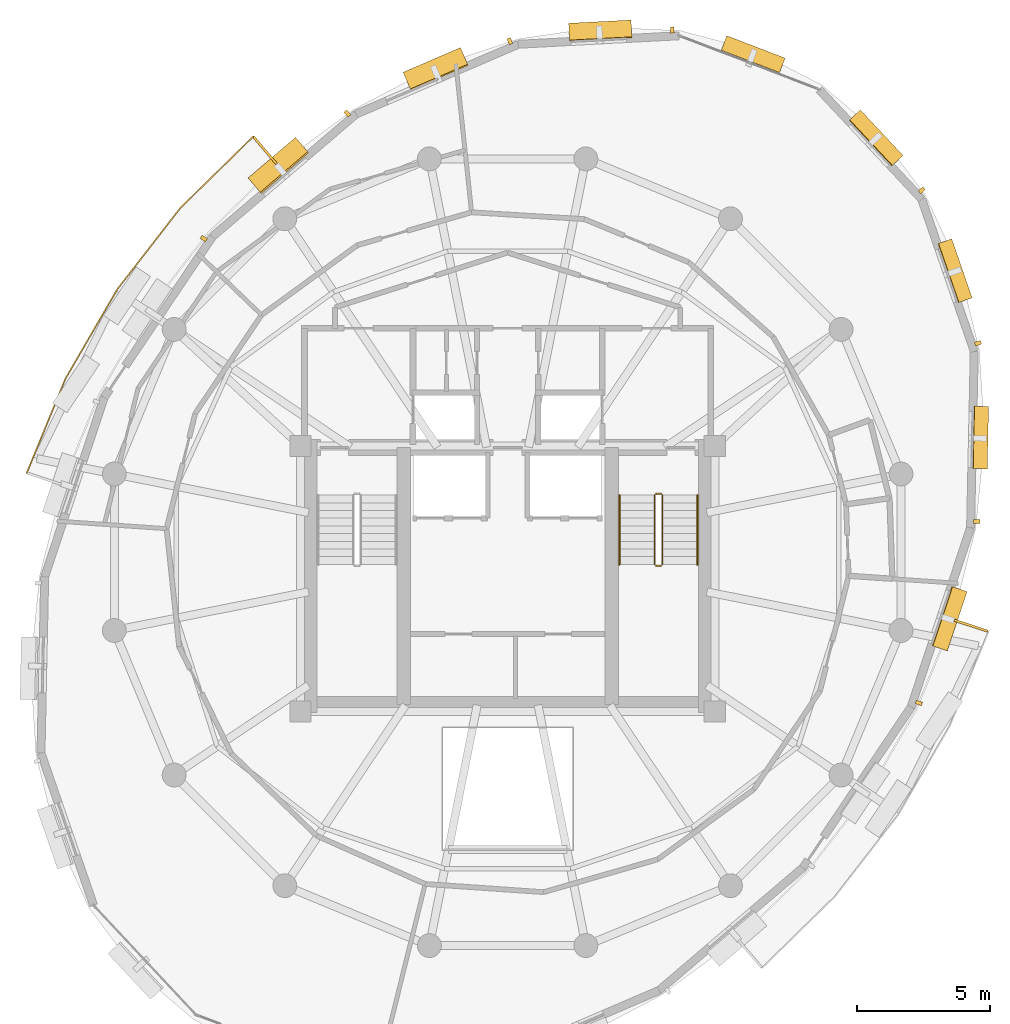
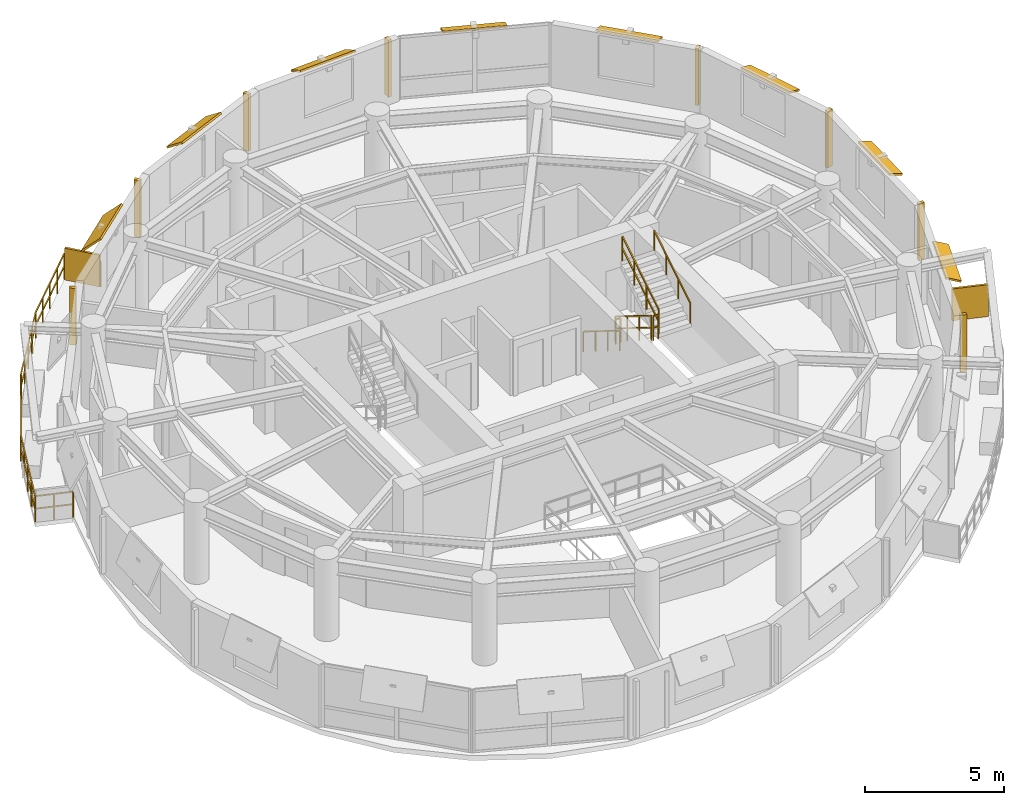
# One storey, part 11 of 11: 18 shading devices, 7 railings.
"""IFC4 building model written with IfcOpenShell, lengths in metres."""

from ifc_helpers import new_model, si_unit, direction, frame, origin, origin_2d, place, context, subcontext, project, spatial, rectangle, extrude, material, layer, layer_set, type_object, element, save


model = new_model("IFC4")

# Units and contexts
model_context = context("Model", 3, precision=1e-05, world=origin(), true_north=direction((0.0, 1.0)))
body_context = subcontext(model_context, "Body", "Model", "MODEL_VIEW")
ifc_project = project(units=[si_unit("LENGTHUNIT", "METRE"), si_unit("AREAUNIT", "SQUARE_METRE"), si_unit("VOLUMEUNIT", "CUBIC_METRE"), si_unit("PLANEANGLEUNIT", "RADIAN"), si_unit("MASSUNIT", "GRAM", prefix="KILO"), si_unit("THERMODYNAMICTEMPERATUREUNIT", "KELVIN"), si_unit("POWERUNIT", "WATT")], contexts=[model_context])

# Site, building, storey
site_placement = place(None, origin())
site = spatial("IfcSite", under=ifc_project, at=site_placement, CompositionType="ELEMENT")
building_placement = place(site_placement, origin())
building = spatial("IfcBuilding", under=site, at=building_placement, Name="Ocrelia Relay Tower", CompositionType="ELEMENT")
storey_placement = place(building_placement, frame((0.0, 0.0, 262.800048828125)))
storey = spatial("IfcBuildingStorey", under=building, at=storey_placement, Name="L65", CompositionType="ELEMENT", Elevation=262.800048828125)

# Railings
ifc_material_1 = material(Name="Steel S355 balustrade", Category="steel")
railing_type_1 = type_object("IfcRailingType", Name="RL-EXT-GUARD-1150", PredefinedType="GUARDRAIL", material=ifc_material_1)
railing_1_placement = place(storey_placement, frame((17.21630859375, 28.548583984375, 0.0)))
element("IfcRailing", 1, at=railing_1_placement, inside=storey, type_object=railing_type_1, Name="L65 Loggia Balcony Guard Rail B1", PredefinedType="GUARDRAIL", context=body_context, shape_type="SweptSolid", body=[
    extrude(rectangle(XDim=0.048095703125, YDim=0.048095703125, at=origin_2d()), frame((0.0, 0.0, 1.1259765625), z_axis=(-0.949555632107, 0.313598631268, 0.0), x_axis=(-0.313598631268, -0.949555632107, 0.0)), (0.0, 0.0, 1.0), 1.3935546875),
    extrude(rectangle(XDim=0.048095703125, YDim=0.048095703125, at=origin_2d()), frame((0.0, 0.0, 0.574951171875), z_axis=(-0.949555632107, 0.313598631268, 0.0), x_axis=(-0.313598631268, -0.949555632107, 0.0)), (0.0, 0.0, 1.0), 1.3935546875),
    extrude(rectangle(XDim=0.048095703125, YDim=0.048095703125, at=origin_2d()), frame((-1.3232421875, 0.43701171875, 1.1259765625), z_axis=(0.379573095369, 0.925161750869, 0.0), x_axis=(-0.925161750869, 0.379573095369, 0.0)), (0.0, 0.0, 1.0), 1.920654296875),
    extrude(rectangle(XDim=0.048095703125, YDim=0.048095703125, at=origin_2d()), frame((-1.3232421875, 0.43701171875, 0.574951171875), z_axis=(0.379573095369, 0.925161750869, 0.0), x_axis=(-0.925161750869, 0.379573095369, 0.0)), (0.0, 0.0, 1.0), 1.920654296875),
    extrude(rectangle(XDim=0.048095703125, YDim=0.048095703125, at=origin_2d()), frame((-0.59423828125, 2.2138671875, 1.1259765625), z_axis=(0.379637247401, 0.925135428132, 0.0), x_axis=(-0.925135428132, 0.379637247401, 0.0)), (0.0, 0.0, 1.0), 1.9208984375),
    extrude(rectangle(XDim=0.048095703125, YDim=0.048095703125, at=origin_2d()), frame((-0.59423828125, 2.2138671875, 0.574951171875), z_axis=(0.379637247401, 0.925135428132, 0.0), x_axis=(-0.925135428132, 0.379637247401, 0.0)), (0.0, 0.0, 1.0), 1.9208984375),
    extrude(rectangle(XDim=0.048095703125, YDim=0.048095703125, at=origin_2d()), frame((0.135009765625, 3.990966796875, 1.1259765625), z_axis=(0.501534529171, 0.865137628386, 0.0), x_axis=(-0.865137628386, 0.501534529171, 0.0)), (0.0, 0.0, 1.0), 3.881591796875),
    extrude(rectangle(XDim=0.048095703125, YDim=0.048095703125, at=origin_2d()), frame((0.135009765625, 3.990966796875, 0.574951171875), z_axis=(0.501534529171, 0.865137628386, 0.0), x_axis=(-0.865137628386, 0.501534529171, 0.0)), (0.0, 0.0, 1.0), 3.881591796875),
    extrude(rectangle(XDim=0.048095703125, YDim=0.048095703125, at=origin_2d()), frame((2.081787109375, 7.34912109375, 1.1259765625), z_axis=(0.612882025935, 0.790174425229, 0.0), x_axis=(-0.790174425229, 0.612882025935, 0.0)), (0.0, 0.0, 1.0), 3.8818359375),
    extrude(rectangle(XDim=0.048095703125, YDim=0.048095703125, at=origin_2d()), frame((2.081787109375, 7.34912109375, 0.574951171875), z_axis=(0.612882025935, 0.790174425229, 0.0), x_axis=(-0.790174425229, 0.612882025935, 0.0)), (0.0, 0.0, 1.0), 3.8818359375),
    extrude(rectangle(XDim=0.048095703125, YDim=0.048095703125, at=origin_2d()), frame((4.4609375, 10.41650390625, 1.1259765625), z_axis=(0.71431449264, 0.699824839231, 0.0), x_axis=(-0.699824839231, 0.71431449264, 0.0)), (0.0, 0.0, 1.0), 1.9208984375),
    extrude(rectangle(XDim=0.048095703125, YDim=0.048095703125, at=origin_2d()), frame((4.4609375, 10.41650390625, 0.574951171875), z_axis=(0.71431449264, 0.699824839231, 0.0), x_axis=(-0.699824839231, 0.71431449264, 0.0)), (0.0, 0.0, 1.0), 1.9208984375),
    extrude(rectangle(XDim=0.048095703125, YDim=0.048095703125, at=origin_2d()), frame((5.8330078125, 11.7607421875, 1.1259765625), z_axis=(0.714378033116, 0.699759977279, 0.0), x_axis=(-0.699759977279, 0.714378033116, 0.0)), (0.0, 0.0, 1.0), 1.920654296875),
    extrude(rectangle(XDim=0.048095703125, YDim=0.048095703125, at=origin_2d()), frame((5.8330078125, 11.7607421875, 0.574951171875), z_axis=(0.714378033116, 0.699759977279, 0.0), x_axis=(-0.699759977279, 0.714378033116, 0.0)), (0.0, 0.0, 1.0), 1.920654296875),
    extrude(rectangle(XDim=0.048095703125, YDim=0.048095703125, at=origin_2d()), frame((7.205078125, 13.104736328125, 1.1259765625), z_axis=(0.647770477504, -0.76183555212, 0.0), x_axis=(0.76183555212, 0.647770477504, 0.0)), (0.0, 0.0, 1.0), 1.393310546875),
    extrude(rectangle(XDim=0.048095703125, YDim=0.048095703125, at=origin_2d()), frame((7.205078125, 13.104736328125, 0.574951171875), z_axis=(0.647770477504, -0.76183555212, 0.0), x_axis=(0.76183555212, 0.647770477504, 0.0)), (0.0, 0.0, 1.0), 1.393310546875),
    extrude(rectangle(XDim=0.0419921875, YDim=0.0419921875, at=origin_2d()), origin(), (0.0, 0.0, 1.0), 1.101806640625),
    extrude(rectangle(XDim=0.0419921875, YDim=0.0419921875, at=origin_2d()), frame((-0.66162109375, 0.218505859375, 0.0)), (0.0, 0.0, 1.0), 1.101806640625),
    extrude(rectangle(XDim=0.0419921875, YDim=0.0419921875, at=origin_2d()), frame((-1.3232421875, 0.43701171875, 0.0)), (0.0, 0.0, 1.0), 1.101806640625),
    extrude(rectangle(XDim=0.0419921875, YDim=0.0419921875, at=origin_2d()), frame((-0.958740234375, 1.325439453125, 0.0)), (0.0, 0.0, 1.0), 1.101806640625),
    extrude(rectangle(XDim=0.0419921875, YDim=0.0419921875, at=origin_2d()), frame((-0.59423828125, 2.2138671875, 0.0)), (0.0, 0.0, 1.0), 1.101806640625),
    extrude(rectangle(XDim=0.0419921875, YDim=0.0419921875, at=origin_2d()), frame((-0.2294921875, 3.1025390625, 0.0)), (0.0, 0.0, 1.0), 1.101806640625),
    extrude(rectangle(XDim=0.0419921875, YDim=0.0419921875, at=origin_2d()), frame((0.135009765625, 3.990966796875, 0.0)), (0.0, 0.0, 1.0), 1.101806640625),
    extrude(rectangle(XDim=0.0419921875, YDim=0.0419921875, at=origin_2d()), frame((0.62158203125, 4.83056640625, 0.0)), (0.0, 0.0, 1.0), 1.101806640625),
    extrude(rectangle(XDim=0.0419921875, YDim=0.0419921875, at=origin_2d()), frame((1.1083984375, 5.669921875, 0.0)), (0.0, 0.0, 1.0), 1.101806640625),
    extrude(rectangle(XDim=0.0419921875, YDim=0.0419921875, at=origin_2d()), frame((1.59521484375, 6.509521484375, 0.0)), (0.0, 0.0, 1.0), 1.101806640625),
    extrude(rectangle(XDim=0.0419921875, YDim=0.0419921875, at=origin_2d()), frame((2.081787109375, 7.34912109375, 0.0)), (0.0, 0.0, 1.0), 1.101806640625),
    extrude(rectangle(XDim=0.0419921875, YDim=0.0419921875, at=origin_2d()), frame((2.676513671875, 8.115966796875, 0.0)), (0.0, 0.0, 1.0), 1.101806640625),
    extrude(rectangle(XDim=0.0419921875, YDim=0.0419921875, at=origin_2d()), frame((3.271484375, 8.8828125, 0.0)), (0.0, 0.0, 1.0), 1.101806640625),
    extrude(rectangle(XDim=0.0419921875, YDim=0.0419921875, at=origin_2d()), frame((3.8662109375, 9.649658203125, 0.0)), (0.0, 0.0, 1.0), 1.101806640625),
    extrude(rectangle(XDim=0.0419921875, YDim=0.0419921875, at=origin_2d()), frame((4.4609375, 10.41650390625, 0.0)), (0.0, 0.0, 1.0), 1.101806640625),
    extrude(rectangle(XDim=0.0419921875, YDim=0.0419921875, at=origin_2d()), frame((5.14697265625, 11.088623046875, 0.0)), (0.0, 0.0, 1.0), 1.101806640625),
    extrude(rectangle(XDim=0.0419921875, YDim=0.0419921875, at=origin_2d()), frame((5.8330078125, 11.7607421875, 0.0)), (0.0, 0.0, 1.0), 1.101806640625),
    extrude(rectangle(XDim=0.0419921875, YDim=0.0419921875, at=origin_2d()), frame((6.51904296875, 12.4326171875, 0.0)), (0.0, 0.0, 1.0), 1.101806640625),
    extrude(rectangle(XDim=0.0419921875, YDim=0.0419921875, at=origin_2d()), frame((7.205078125, 13.104736328125, 0.0)), (0.0, 0.0, 1.0), 1.101806640625),
    extrude(rectangle(XDim=0.0419921875, YDim=0.0419921875, at=origin_2d()), frame((7.65625, 12.573974609375, 0.0)), (0.0, 0.0, 1.0), 1.101806640625),
    extrude(rectangle(XDim=0.0419921875, YDim=0.0419921875, at=origin_2d()), frame((8.107666015625, 12.043212890625, 0.0)), (0.0, 0.0, 1.0), 1.101806640625),
])
railing_type_2 = type_object("IfcRailingType", Name="RL-STAIR-GUARD", PredefinedType="GUARDRAIL", material=ifc_material_1)
railing_2_placement = place(storey_placement, frame((39.530029296875, 28.14990234375, 0.179931640625)))
element("IfcRailing", 2, at=railing_2_placement, inside=storey, type_object=railing_type_2, Name="L65 ST2 stair guard 1", PredefinedType="GUARDRAIL", context=body_context, shape_type="SweptSolid", body=[
    extrude(rectangle(XDim=0.048095703125, YDim=0.048095703125, at=origin_2d()), frame((0.0, 0.0, 1.076171875), z_axis=(0.0, -0.849610693518, 0.52741034258), x_axis=(1.0, 0.0, 0.0)), (0.0, 0.0, 1.0), 3.07177734375),
    extrude(rectangle(XDim=0.048095703125, YDim=0.048095703125, at=origin_2d()), frame((0.0, 0.0, 0.550048828125), z_axis=(0.0, -0.849610693518, 0.52741034258), x_axis=(1.0, 0.0, 0.0)), (0.0, 0.0, 1.0), 3.07177734375),
    extrude(rectangle(XDim=0.0419921875, YDim=0.0419921875, at=origin_2d()), origin(), (0.0, 0.0, 1.0), 1.052001953125),
    extrude(rectangle(XDim=0.0419921875, YDim=0.0419921875, at=origin_2d()), frame((0.0, -0.869873046875, 0.5400390625)), (0.0, 0.0, 1.0), 1.052001953125),
    extrude(rectangle(XDim=0.0419921875, YDim=0.0419921875, at=origin_2d()), frame((0.0, -1.739990234375, 1.080078125)), (0.0, 0.0, 1.0), 1.052001953125),
    extrude(rectangle(XDim=0.0419921875, YDim=0.0419921875, at=origin_2d()), frame((0.0, -2.60986328125, 1.6201171875)), (0.0, 0.0, 1.0), 1.052001953125),
])
railing_3_placement = place(storey_placement, frame((39.580078125, 25.489990234375, 1.800048828125)))
element("IfcRailing", 3, at=railing_3_placement, inside=storey, type_object=railing_type_2, Name="L65 ST2 stair guard 2", PredefinedType="GUARDRAIL", context=body_context, shape_type="SweptSolid", body=[
    extrude(rectangle(XDim=0.048095703125, YDim=0.048095703125, at=origin_2d()), frame((0.0, 0.0, 1.076171875), z_axis=(1.0, 0.0, 0.0), x_axis=(0.0, 1.0, 0.0)), (0.0, 0.0, 1.0), 0.199951171875),
    extrude(rectangle(XDim=0.048095703125, YDim=0.048095703125, at=origin_2d()), frame((0.0, 0.0, 0.550048828125), z_axis=(1.0, 0.0, 0.0), x_axis=(0.0, 1.0, 0.0)), (0.0, 0.0, 1.0), 0.199951171875),
    extrude(rectangle(XDim=0.0419921875, YDim=0.0419921875, at=origin_2d()), origin(), (0.0, 0.0, 1.0), 1.052001953125),
    extrude(rectangle(XDim=0.0419921875, YDim=0.0419921875, at=origin_2d()), frame((0.199951171875, 0.0, 0.0)), (0.0, 0.0, 1.0), 1.052001953125),
])
railing_4_placement = place(storey_placement, frame((39.830078125, 25.5400390625, 1.97998046875)))
element("IfcRailing", 4, at=railing_4_placement, inside=storey, type_object=railing_type_2, Name="L65 ST2 stair guard 3", PredefinedType="GUARDRAIL", context=body_context, shape_type="SweptSolid", body=[
    extrude(rectangle(XDim=0.048095703125, YDim=0.048095703125, at=origin_2d()), frame((0.0, 0.0, 1.076171875), z_axis=(0.0, 0.849646306263, 0.527352969322), x_axis=(-1.0, 0.0, 0.0)), (0.0, 0.0, 1.0), 3.07177734375),
    extrude(rectangle(XDim=0.048095703125, YDim=0.048095703125, at=origin_2d()), frame((0.0, 0.0, 0.550048828125), z_axis=(0.0, 0.849646306263, 0.527352969322), x_axis=(-1.0, 0.0, 0.0)), (0.0, 0.0, 1.0), 3.07177734375),
    extrude(rectangle(XDim=0.0419921875, YDim=0.0419921875, at=origin_2d()), origin(), (0.0, 0.0, 1.0), 1.052001953125),
    extrude(rectangle(XDim=0.0419921875, YDim=0.0419921875, at=origin_2d()), frame((0.0, 0.869873046875, 0.5400390625)), (0.0, 0.0, 1.0), 1.052001953125),
    extrude(rectangle(XDim=0.0419921875, YDim=0.0419921875, at=origin_2d()), frame((0.0, 1.739990234375, 1.079833984375)), (0.0, 0.0, 1.0), 1.052001953125),
    extrude(rectangle(XDim=0.0419921875, YDim=0.0419921875, at=origin_2d()), frame((0.0, 2.60986328125, 1.619873046875)), (0.0, 0.0, 1.0), 1.052001953125),
])
railing_5_placement = place(storey_placement, frame((39.580078125, 28.199951171875, 0.0)))
element("IfcRailing", 5, at=railing_5_placement, inside=storey, type_object=railing_type_2, Name="L65 ST2 stair guard 4", PredefinedType="GUARDRAIL", context=body_context, shape_type="SweptSolid", body=[
    extrude(rectangle(XDim=0.048095703125, YDim=0.048095703125, at=origin_2d()), frame((0.0, 0.0, 1.076171875), z_axis=(1.0, 0.0, 0.0), x_axis=(0.0, 1.0, 0.0)), (0.0, 0.0, 1.0), 0.199951171875),
    extrude(rectangle(XDim=0.048095703125, YDim=0.048095703125, at=origin_2d()), frame((0.0, 0.0, 0.550048828125), z_axis=(1.0, 0.0, 0.0), x_axis=(0.0, 1.0, 0.0)), (0.0, 0.0, 1.0), 0.199951171875),
    extrude(rectangle(XDim=0.0419921875, YDim=0.0419921875, at=origin_2d()), origin(), (0.0, 0.0, 1.0), 1.052001953125),
    extrude(rectangle(XDim=0.0419921875, YDim=0.0419921875, at=origin_2d()), frame((0.199951171875, 0.0, 0.0)), (0.0, 0.0, 1.0), 1.052001953125),
])
ifc_material_2 = material(Name="Steel S355 tubular handrail", Category="steel")
railing_type_3 = type_object("IfcRailingType", Name="RL-STAIR-HAND", PredefinedType="HANDRAIL", material=ifc_material_2)
railing_6_placement = place(storey_placement, frame((38.2099609375, 28.14990234375, 0.179931640625)))
element("IfcRailing", 6, at=railing_6_placement, inside=storey, type_object=railing_type_3, Name="L65 ST2 stair handrail 1", PredefinedType="HANDRAIL", context=body_context, shape_type="SweptSolid", body=[
    extrude(rectangle(XDim=0.048095703125, YDim=0.048095703125, at=origin_2d()), frame((0.0, 0.0, 0.8759765625), z_axis=(0.0, -0.849610693518, 0.52741034258), x_axis=(1.0, 0.0, 0.0)), (0.0, 0.0, 1.0), 3.07177734375),
    extrude(rectangle(XDim=0.0419921875, YDim=0.0419921875, at=origin_2d()), origin(), (0.0, 0.0, 1.0), 0.851806640625),
    extrude(rectangle(XDim=0.0419921875, YDim=0.0419921875, at=origin_2d()), frame((0.0, -0.869873046875, 0.5400390625)), (0.0, 0.0, 1.0), 0.851806640625),
    extrude(rectangle(XDim=0.0419921875, YDim=0.0419921875, at=origin_2d()), frame((0.0, -1.739990234375, 1.080078125)), (0.0, 0.0, 1.0), 0.851806640625),
    extrude(rectangle(XDim=0.0419921875, YDim=0.0419921875, at=origin_2d()), frame((0.0, -2.60986328125, 1.6201171875)), (0.0, 0.0, 1.0), 0.851806640625),
])
railing_7_placement = place(storey_placement, frame((41.14990234375, 25.5400390625, 1.97998046875)))
element("IfcRailing", 7, at=railing_7_placement, inside=storey, type_object=railing_type_3, Name="L65 ST2 stair handrail 2", PredefinedType="HANDRAIL", context=body_context, shape_type="SweptSolid", body=[
    extrude(rectangle(XDim=0.048095703125, YDim=0.048095703125, at=origin_2d()), frame((0.0, 0.0, 0.8759765625), z_axis=(0.0, 0.849646306263, 0.527352969322), x_axis=(-1.0, 0.0, 0.0)), (0.0, 0.0, 1.0), 3.07177734375),
    extrude(rectangle(XDim=0.0419921875, YDim=0.0419921875, at=origin_2d()), origin(), (0.0, 0.0, 1.0), 0.851806640625),
    extrude(rectangle(XDim=0.0419921875, YDim=0.0419921875, at=origin_2d()), frame((0.0, 0.869873046875, 0.5400390625)), (0.0, 0.0, 1.0), 0.851806640625),
    extrude(rectangle(XDim=0.0419921875, YDim=0.0419921875, at=origin_2d()), frame((0.0, 1.739990234375, 1.079833984375)), (0.0, 0.0, 1.0), 0.851806640625),
    extrude(rectangle(XDim=0.0419921875, YDim=0.0419921875, at=origin_2d()), frame((0.0, 2.60986328125, 1.619873046875)), (0.0, 0.0, 1.0), 0.851806640625),
])

# Shading devices
ifc_material_3 = material(Name="Perforated oxide terracotta solar screen", Category="masonry")
ifc_layer_1 = layer(ifc_material_3, 0.090087890625, Name="Perforated oxide terracotta solar screen")
ifc_layer_set_1 = layer_set([ifc_layer_1], Name="Perforated oxide terracotta solar screen")
shading_device_type_1 = type_object("IfcShadingDeviceType", Name="SH-BALC-SCREEN", PredefinedType="USERDEFINED", material=ifc_layer_set_1)
for number, where, z_axis, x_axis, name in (
    (8, (24.872802734375, 41.12255859375, 0.0), (0.0, 0.0, 1.0), (-0.647671334334, 0.761919840063, 0.0), "L65 Balcony Perforated Terracotta Screen B1-1"),
    (9, (51.4453125, 23.23291015625, 0.0), (0.0, 0.0, 1.0), (0.949597890766, -0.313470645919, 0.0), "L65 Balcony Perforated Terracotta Screen B2-2"),
):
    element("IfcShadingDevice", number, at=place(storey_placement, frame(where, z_axis=z_axis, x_axis=x_axis)), inside=storey, type_object=shading_device_type_1, Name=name, ObjectType="SCREEN", PredefinedType="USERDEFINED", context=body_context, shape_type="SweptSolid", body=[
        extrude(rectangle(XDim=1.340087890625, YDim=0.090087890625, at=origin_2d()), origin(), (0.0, 0.0, 1.0), 1.39990234375),
    ])
ifc_material_4 = material(Name="Extruded oxide terracotta vertical baguette", Category="masonry")
shading_device_type_2 = type_object("IfcShadingDeviceType", Name="SH-TERR-BAGUETTE", PredefinedType="USERDEFINED", material=ifc_material_4)
for number, where, z_axis, x_axis, name in (
    (10, (40.200927734375, 45.66162109375, 0.1298828125), (0.0, 0.0, 1.0), (-0.99859958696, -0.052904299663, 0.0), "L65 Oxide Terracotta Vertical Baguette 02"),
    (11, (34.087890625, 45.240234375, 0.1298828125), (0.0, 0.0, 1.0), (-0.918477227414, -0.395473871099, 0.0), "L65 Oxide Terracotta Vertical Baguette 03"),
    (12, (27.9658203125, 42.51611328125, 0.1298828125), (0.0, 0.0, 1.0), (-0.760866402247, -0.648908558991, 0.0), "L65 Oxide Terracotta Vertical Baguette 04"),
    (13, (22.559326171875, 37.80908203125, 0.1298828125), (0.0, 0.0, 1.0), (-0.55847562768, -0.829520929987, 0.0), "L65 Oxide Terracotta Vertical Baguette 05"),
    (14, (49.48291015625, 20.325439453125, 0.1298828125), (0.0, 0.0, 1.0), (0.314958373679, 0.949105485628, 0.0), "L65 Oxide Terracotta Vertical Baguette 15"),
    (15, (51.6650390625, 27.158447265625, 0.1298828125), (0.0, 0.0, 1.0), (0.020878655431, 0.999782017115, 0.0), "L65 Oxide Terracotta Vertical Baguette 16"),
    (16, (51.707763671875, 33.866943359375, 0.1298828125), (0.0, 0.0, 1.0), (-0.326685580937, 0.945133075925, 0.0), "L65 Oxide Terracotta Vertical Baguette 17"),
    (17, (49.59228515625, 39.626708984375, 0.1298828125), (0.0, 0.0, 1.0), (-0.683240243185, 0.73019365246, 0.0), "L65 Oxide Terracotta Vertical Baguette 18"),
):
    element("IfcShadingDevice", number, at=place(storey_placement, frame(where, z_axis=z_axis, x_axis=x_axis)), inside=storey, type_object=shading_device_type_2, Name=name, ObjectType="BAGUETTE", PredefinedType="USERDEFINED", context=body_context, shape_type="SweptSolid", body=[
        extrude(rectangle(XDim=0.139892578125, YDim=0.239990234375, at=origin_2d()), origin(), (0.0, 0.0, 1.0), 2.5),
    ])
ifc_material_5 = material(Name="Extruded oxide terracotta fin", Category="masonry")
ifc_layer_2 = layer(ifc_material_5, 0.080078125, Name="Extruded oxide terracotta fin")
ifc_layer_set_2 = layer_set([ifc_layer_2], Name="Extruded oxide terracotta fin")
shading_device_type_3 = type_object("IfcShadingDeviceType", Name="SH-VISOR-FIN-MED", PredefinedType="USERDEFINED", material=ifc_layer_set_2)
shading_device_1_placement = place(storey_placement, frame((31.299560546875, 44.178955078125, 2.567138671875), z_axis=(-0.227794682366, 0.529046906936, 0.817446605564), x_axis=(-0.918477227414, -0.395473871099, 0.0)))
element("IfcShadingDevice", 18, at=shading_device_1_placement, inside=storey, type_object=shading_device_type_3, Name="L65 Canted Terracotta Sun-Visor Fin 03", ObjectType="FIN", PredefinedType="USERDEFINED", context=body_context, shape_type="SweptSolid", body=[
    extrude(rectangle(XDim=2.35009765625, YDim=0.8359375, at=origin_2d()), origin(), (0.0, 0.0, 1.0), 0.080078125),
])
shading_device_2_placement = place(storey_placement, frame((25.38623046875, 40.54296875, 2.5712890625), z_axis=(-0.453693746445, 0.531970681842, 0.714960962638), x_axis=(-0.760866402247, -0.648908558991, 0.0)))
element("IfcShadingDevice", 19, at=shading_device_2_placement, inside=storey, type_object=shading_device_type_3, Name="L65 Canted Terracotta Sun-Visor Fin 04", ObjectType="FIN", PredefinedType="USERDEFINED", context=body_context, shape_type="SweptSolid", body=[
    extrude(rectangle(XDim=2.35009765625, YDim=0.989013671875, at=origin_2d()), origin(), (0.0, 0.0, 1.0), 0.080078125),
])
ifc_layer_3 = layer(ifc_material_5, 0.080078125, Name="Extruded oxide terracotta fin")
ifc_layer_set_3 = layer_set([ifc_layer_3], Name="Extruded oxide terracotta fin")
shading_device_type_4 = type_object("IfcShadingDeviceType", Name="SH-VISOR-FIN-SHAL", PredefinedType="USERDEFINED", material=ifc_layer_set_3)
shading_device_3_placement = place(storey_placement, frame((43.234375, 44.72119140625, 2.56298828125), z_axis=(0.14162244631, 0.368979387817, 0.918584396813), x_axis=(-0.93359352181, 0.358333833227, 0.0)))
element("IfcShadingDevice", 20, at=shading_device_3_placement, inside=storey, type_object=shading_device_type_4, Name="L65 Canted Terracotta Sun-Visor Fin 01", ObjectType="FIN", PredefinedType="USERDEFINED", context=body_context, shape_type="SweptSolid", body=[
    extrude(rectangle(XDim=2.35009765625, YDim=0.637939453125, at=origin_2d()), origin(), (0.0, 0.0, 1.0), 0.080078125),
])
shading_device_4_placement = place(storey_placement, frame((37.490478515625, 45.62158203125, 2.564453125), z_axis=(-0.025008104442, 0.472042592491, 0.881220962975), x_axis=(-0.99859958696, -0.052904299663, 0.0)))
element("IfcShadingDevice", 21, at=shading_device_4_placement, inside=storey, type_object=shading_device_type_4, Name="L65 Canted Terracotta Sun-Visor Fin 02", ObjectType="FIN", PredefinedType="USERDEFINED", context=body_context, shape_type="SweptSolid", body=[
    extrude(rectangle(XDim=2.35009765625, YDim=0.719970703125, at=origin_2d()), origin(), (0.0, 0.0, 1.0), 0.080078125),
])
shading_device_5_placement = place(storey_placement, frame((50.62451171875, 23.501953125, 2.562744140625), z_axis=(0.355541172764, -0.117985483432, 0.927183854567), x_axis=(0.314958373679, 0.949105485628, 0.0)))
element("IfcShadingDevice", 22, at=shading_device_5_placement, inside=storey, type_object=shading_device_type_4, Name="L65 Canted Terracotta Sun-Visor Fin 15", ObjectType="FIN", PredefinedType="USERDEFINED", context=body_context, shape_type="SweptSolid", body=[
    extrude(rectangle(XDim=2.35009765625, YDim=0.616943359375, at=origin_2d()), origin(), (0.0, 0.0, 1.0), 0.080078125),
])
shading_device_6_placement = place(storey_placement, frame((51.7939453125, 30.31884765625, 2.561767578125), z_axis=(0.31673901309, -0.006614526569, 0.948489665534), x_axis=(0.020878655431, 0.999782017115, 0.0)))
element("IfcShadingDevice", 23, at=shading_device_6_placement, inside=storey, type_object=shading_device_type_4, Name="L65 Canted Terracotta Sun-Visor Fin 16", ObjectType="FIN", PredefinedType="USERDEFINED", context=body_context, shape_type="SweptSolid", body=[
    extrude(rectangle(XDim=2.35009765625, YDim=0.55810546875, at=origin_2d()), origin(), (0.0, 0.0, 1.0), 0.080078125),
])
shading_device_7_placement = place(storey_placement, frame((50.833251953125, 36.59326171875, 2.561767578125), z_axis=(0.295041353369, 0.10198114782, 0.950026549782), x_axis=(-0.326685580937, 0.945133075925, 0.0)))
element("IfcShadingDevice", 24, at=shading_device_7_placement, inside=storey, type_object=shading_device_type_4, Name="L65 Canted Terracotta Sun-Visor Fin 17", ObjectType="FIN", PredefinedType="USERDEFINED", context=body_context, shape_type="SweptSolid", body=[
    extrude(rectangle(XDim=2.35009765625, YDim=0.552978515625, at=origin_2d()), origin(), (0.0, 0.0, 1.0), 0.080078125),
])
shading_device_8_placement = place(storey_placement, frame((47.863037109375, 41.58935546875, 2.562255859375), z_axis=(0.24938163218, 0.233345724716, 0.939871573295), x_axis=(-0.683240243185, 0.73019365246, 0.0)))
element("IfcShadingDevice", 25, at=shading_device_8_placement, inside=storey, type_object=shading_device_type_4, Name="L65 Canted Terracotta Sun-Visor Fin 18", ObjectType="FIN", PredefinedType="USERDEFINED", context=body_context, shape_type="SweptSolid", body=[
    extrude(rectangle(XDim=2.35009765625, YDim=0.5830078125, at=origin_2d()), origin(), (0.0, 0.0, 1.0), 0.080078125),
])

save(model, "model.ifc")
